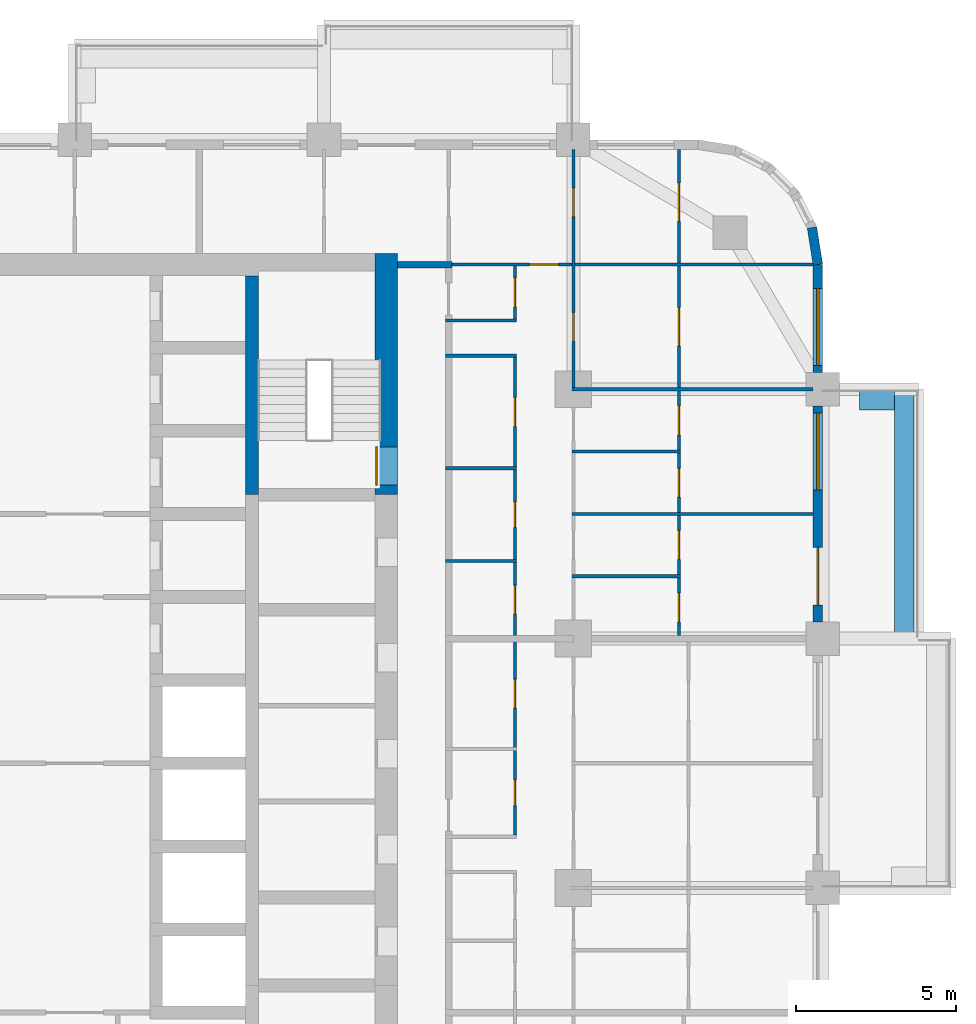
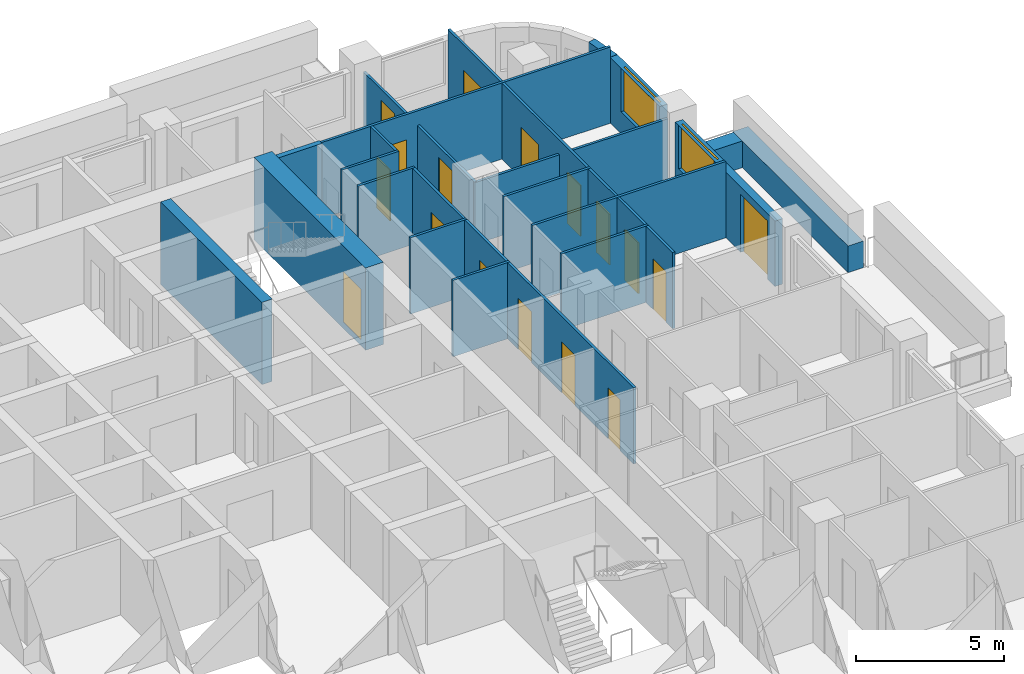
# One storey, part 13 of 18: 21 walls, 17 doors, 2 windows, 19 openings.
"""IFC4 building model written with IfcOpenShell, lengths in metres."""

from ifc_helpers import new_model, si_unit, direction, frame, frame_2d, origin, place, context, subcontext, project, spatial, rectangle, extrude, material, layer, layer_set, type_object, element, fill, save


model = new_model("IFC4")

# Units and contexts
model_context = context("Model", 3, precision=1e-05, world=origin(), true_north=direction((0.0, 1.0)))
body_context = subcontext(model_context, "Body", "Model", "MODEL_VIEW")
ifc_project = project(units=[si_unit("LENGTHUNIT", "METRE"), si_unit("AREAUNIT", "SQUARE_METRE"), si_unit("VOLUMEUNIT", "CUBIC_METRE"), si_unit("PLANEANGLEUNIT", "RADIAN"), si_unit("MASSUNIT", "GRAM", prefix="KILO")], contexts=[model_context])

# Site, building, storey
site_placement = place(None, origin())
site = spatial("IfcSite", under=ifc_project, at=site_placement, CompositionType="ELEMENT")
building_placement = place(site_placement, origin())
building = spatial("IfcBuilding", under=site, at=building_placement, Name="Ludao Terraces", CompositionType="ELEMENT")
storey_placement = place(building_placement, frame((0.0, 0.0, 33.10009765625)))
storey = spatial("IfcBuildingStorey", under=building, at=storey_placement, Name="L08", CompositionType="ELEMENT", Elevation=33.10009765625)

# Wall, opening, door
ifc_material_1 = material(Name="Concrete C70", Category="concrete")
ifc_layer_1 = layer(ifc_material_1, 0.699951171875)
ifc_layer_set_1 = layer_set([ifc_layer_1], Name="Core wall 700 C70")
wall_type_1 = type_object("IfcWallType", Name="Core wall 700 C70", PredefinedType="SOLIDWALL", material=ifc_layer_set_1)
wall_1_placement = place(storey_placement, frame((94.75, 77.300048828125, -0.25), z_axis=(0.0, 0.0, 1.0), x_axis=(0.0, 1.0, 0.0)))
wall_1 = element("IfcWall", 1, at=wall_1_placement, inside=storey, type_object=wall_type_1, Name="Core wall L08 outer-E-S2", PredefinedType="SOLIDWALL", context=body_context, shape_type="SweptSolid", body=[
    extrude(rectangle(XDim=7.550048828125, YDim=0.699951171875, at=frame_2d((3.77490234375, 0.0))), origin(), (0.0, 0.0, 1.0), 3.39990234375),
])
opening_1_placement = place(wall_1_placement, frame((0.300048828125, 0.0, 0.25)))
opening_1 = element("IfcOpeningElement", 2, at=opening_1_placement, cuts=wall_1, Name="Opening R02-134", PredefinedType="OPENING", context=body_context, shape_type="SweptSolid", body=[
    extrude(rectangle(XDim=1.199951171875, YDim=2.10009765625, at=frame_2d((0.60009765625, 1.050048828125))), frame((0.0, 0.35986328125, 0.0), z_axis=(0.0, -1.0, 0.0), x_axis=(1.0, 0.0, 0.0)), (0.0, 0.0, 1.0), 0.719970703125),
])
ifc_material_2 = material(Name="Steel Q235", Category="steel")
door_type_1 = type_object("IfcDoorType", Name="INT Stair door 1200", OperationType="DOUBLE_DOOR_SINGLE_SWING", PredefinedType="DOOR", material=ifc_material_2)
door_1_placement = place(opening_1_placement, origin())
door_1 = element("IfcDoor", 3, at=door_1_placement, inside=storey, type_object=door_type_1, Name="DOOR 134", OperationType="DOUBLE_DOOR_SINGLE_SWING", OverallHeight=2.10009765625, OverallWidth=1.199951171875, PredefinedType="DOOR", context=body_context, shape_type="SweptSolid", body=[
    extrude(rectangle(XDim=1.199951171875, YDim=2.10009765625, at=frame_2d((0.60009765625, 1.050048828125))), frame((0.0, 0.3349609375, 0.0), z_axis=(0.0, -1.0, 0.0), x_axis=(1.0, 0.0, 0.0)), (0.0, 0.0, 1.0), 0.050048828125),
])
fill(opening_1, door_1)

# Walls
ifc_material_3 = material(Name="Concrete C40", Category="concrete")
ifc_layer_2 = layer(ifc_material_3, 0.60009765625)
ifc_layer_set_2 = layer_set([ifc_layer_2], Name="ENV Planter trough 600")
wall_type_2 = type_object("IfcWallType", Name="ENV Planter trough 600", PredefinedType="USERDEFINED", material=ifc_layer_set_2)
wall_2_placement = place(storey_placement, frame((110.949951171875, 72.800048828125, 0.0), z_axis=(0.0, 0.0, 1.0), x_axis=(0.0, 1.0, 0.0)))
element("IfcWall", 4, at=wall_2_placement, inside=storey, type_object=wall_type_2, Name="PL-L08-E4", ObjectType="PLANTER", PredefinedType="USERDEFINED", context=body_context, shape_type="SweptSolid", body=[
    extrude(rectangle(XDim=7.800048828125, YDim=0.60009765625, at=frame_2d((3.89990234375, 0.0))), origin(), (0.0, 0.0, 1.0), 1.099853515625),
])
wall_3_placement = place(storey_placement, frame((110.64990234375, 80.25, 0.0), z_axis=(0.0, 0.0, 1.0), x_axis=(-1.0, 0.0, 0.0)))
element("IfcWall", 5, at=wall_3_placement, inside=storey, type_object=wall_type_2, Name="PL-L08-E4-SB", ObjectType="PLANTER", PredefinedType="USERDEFINED", context=body_context, shape_type="SweptSolid", body=[
    extrude(rectangle(XDim=1.099853515625, YDim=0.60009765625, at=frame_2d((0.5498046875, 0.0))), origin(), (0.0, 0.0, 1.0), 1.099853515625),
])

# Wall, openings, door, window
ifc_material_4 = material(Name="Granite cladding", Category="masonry")
ifc_layer_3 = layer(ifc_material_4, 0.0400390625, Category="stone")
ifc_material_5 = material(Name="Mineral wool")
ifc_layer_4 = layer(ifc_material_5, 0.06005859375)
ifc_layer_5 = layer(ifc_material_3, 0.199951171875, Category="concrete")
ifc_layer_set_3 = layer_set([ifc_layer_3, ifc_layer_4, ifc_layer_5], Name="ENV Stone-clad wall 300")
wall_type_3 = type_object("IfcWallType", Name="ENV Stone-clad wall 300", PredefinedType="SOLIDWALL", material=ifc_layer_set_3)
wall_4_placement = place(storey_placement, frame((108.25, 73.324951171875, 0.0), z_axis=(0.0, 0.0, 1.0), x_axis=(0.0, 1.0, 0.0)))
wall_4 = element("IfcWall", 6, at=wall_4_placement, inside=storey, type_object=wall_type_3, Name="EW-L08-E5", PredefinedType="SOLIDWALL", context=body_context, shape_type="SweptSolid", body=[
    extrude(rectangle(XDim=6.75, YDim=0.300048828125, at=frame_2d((3.375, 0.0))), origin(), (0.0, 0.0, 1.0), 2.699951171875),
])
opening_2_placement = place(wall_4_placement, frame((0.52490234375, 0.0, 0.0)))
opening_2 = element("IfcOpeningElement", 7, at=opening_2_placement, cuts=wall_4, Name="Opening BD", PredefinedType="OPENING", context=body_context, shape_type="SweptSolid", body=[
    extrude(rectangle(XDim=1.800048828125, YDim=2.39990234375, at=frame_2d((0.89990234375, 1.199951171875))), frame((0.0, 0.16015625, 0.0), z_axis=(0.0, -1.0, 0.0), x_axis=(1.0, 0.0, 0.0)), (0.0, 0.0, 1.0), 0.320068359375),
])
opening_3_placement = place(wall_4_placement, frame((4.125, 0.0, 0.89990234375)))
opening_3 = element("IfcOpeningElement", 8, at=opening_3_placement, cuts=wall_4, Name="Opening W1", PredefinedType="OPENING", context=body_context, shape_type="SweptSolid", body=[
    extrude(rectangle(XDim=2.39990234375, YDim=1.800048828125, at=frame_2d((1.199951171875, 0.89990234375))), frame((0.0, 0.16015625, 0.0), z_axis=(0.0, -1.0, 0.0), x_axis=(1.0, 0.0, 0.0)), (0.0, 0.0, 1.0), 0.320068359375),
])
ifc_material_6 = material(Name="Aluminium glazed door", Category="aluminium")
ifc_layer_6 = layer(ifc_material_6, 0.06005859375)
ifc_layer_set_4 = layer_set([ifc_layer_6], Name="ENV Balcony door BD 1800x2400")
door_type_2 = type_object("IfcDoorType", Name="ENV Balcony door BD 1800x2400", OperationType="DOUBLE_DOOR_SINGLE_SWING", PredefinedType="DOOR", material=ifc_layer_set_4)
door_2_placement = place(opening_2_placement, origin())
door_2 = element("IfcDoor", 9, at=door_2_placement, inside=storey, type_object=door_type_2, Name="BD-L08-E5-1", OperationType="DOUBLE_DOOR_SINGLE_SWING", OverallHeight=2.39990234375, OverallWidth=1.800048828125, PredefinedType="DOOR", context=body_context, shape_type="SweptSolid", body=[
    extrude(rectangle(XDim=1.800048828125, YDim=2.39990234375, at=frame_2d((0.89990234375, 1.199951171875))), frame((0.0, 0.02490234375, 0.0), z_axis=(0.0, -1.0, 0.0), x_axis=(1.0, 0.0, 0.0)), (0.0, 0.0, 1.0), 0.050048828125),
])
fill(opening_2, door_2)
ifc_material_7 = material(Name="Clear glass in aluminium frame", Category="aluminium")
ifc_layer_7 = layer(ifc_material_7, 0.06005859375)
ifc_layer_set_5 = layer_set([ifc_layer_7], Name="ENV Window W1 2400x1800")
window_type = type_object("IfcWindowType", Name="ENV Window W1 2400x1800", PartitioningType="DOUBLE_PANEL_VERTICAL", PredefinedType="WINDOW", material=ifc_layer_set_5)
window_1_placement = place(opening_3_placement, origin())
window_1 = element("IfcWindow", 10, at=window_1_placement, inside=storey, type_object=window_type, Name="W-L08-E5-2", OverallHeight=1.800048828125, OverallWidth=2.39990234375, PartitioningType="DOUBLE_PANEL_VERTICAL", PredefinedType="WINDOW", context=body_context, shape_type="SweptSolid", body=[
    extrude(rectangle(XDim=2.39990234375, YDim=1.800048828125, at=frame_2d((1.199951171875, 0.89990234375))), frame((0.0, 0.030029296875, 0.0), z_axis=(0.0, -1.0, 0.0), x_axis=(1.0, 0.0, 0.0)), (0.0, 0.0, 1.0), 0.06005859375),
])
fill(opening_3, window_1)

# Wall, opening, window
wall_5_placement = place(storey_placement, frame((108.25, 81.125, 0.0), z_axis=(0.0, 0.0, 1.0), x_axis=(0.0, 1.0, 0.0)))
wall_5 = element("IfcWall", 11, at=wall_5_placement, inside=storey, type_object=wall_type_3, Name="EW-L08-E6", PredefinedType="SOLIDWALL", context=body_context, shape_type="SweptSolid", body=[
    extrude(rectangle(XDim=3.375, YDim=0.300048828125, at=frame_2d((1.6875, 0.0))), origin(), (0.0, 0.0, 1.0), 2.699951171875),
])
opening_4_placement = place(wall_5_placement, frame((0.22509765625, 0.0, 0.89990234375)))
opening_4 = element("IfcOpeningElement", 12, at=opening_4_placement, cuts=wall_5, Name="Opening W1", PredefinedType="OPENING", context=body_context, shape_type="SweptSolid", body=[
    extrude(rectangle(XDim=2.39990234375, YDim=1.800048828125, at=frame_2d((1.199951171875, 0.89990234375))), frame((0.0, 0.16015625, 0.0), z_axis=(0.0, -1.0, 0.0), x_axis=(1.0, 0.0, 0.0)), (0.0, 0.0, 1.0), 0.320068359375),
])
window_2_placement = place(opening_4_placement, origin())
window_2 = element("IfcWindow", 13, at=window_2_placement, inside=storey, type_object=window_type, Name="W-L08-E6-1", OverallHeight=1.800048828125, OverallWidth=2.39990234375, PartitioningType="DOUBLE_PANEL_VERTICAL", PredefinedType="WINDOW", context=body_context, shape_type="SweptSolid", body=[
    extrude(rectangle(XDim=2.39990234375, YDim=1.800048828125, at=frame_2d((1.199951171875, 0.89990234375))), frame((0.0, 0.030029296875, 0.0), z_axis=(0.0, -1.0, 0.0), x_axis=(1.0, 0.0, 0.0)), (0.0, 0.0, 1.0), 0.06005859375),
])
fill(opening_4, window_2)

# Walls
wall_6_placement = place(storey_placement, frame((108.25, 84.5, 0.0), z_axis=(0.0, 0.0, 1.0), x_axis=(-0.156496880861, 0.987678452879, 0.0)))
element("IfcWall", 14, at=wall_6_placement, inside=storey, type_object=wall_type_3, Name="EW-L08-NE1", PredefinedType="SOLIDWALL", context=body_context, shape_type="SweptSolid", body=[
    extrude(rectangle(XDim=1.173095703125, YDim=0.300048828125, at=frame_2d((0.58642578125, 0.0))), origin(), (0.0, 0.0, 1.0), 2.699951171875),
])
ifc_material_8 = material(Name="Autoclaved aerated concrete block B06 A3.5", Category="concrete")
ifc_layer_8 = layer(ifc_material_8, 0.199951171875)
ifc_layer_set_6 = layer_set([ifc_layer_8], Name="INT Entrance wall 200")
wall_type_4 = type_object("IfcWallType", Name="INT Entrance wall 200", PredefinedType="PARTITIONING", material=ifc_layer_set_6)
wall_7_placement = place(storey_placement, frame((95.10009765625, 84.5, 0.0), z_axis=(0.0, 0.0, 1.0), x_axis=(1.0, 0.0, 0.0)))
element("IfcWall", 15, at=wall_7_placement, inside=storey, type_object=wall_type_4, Name="PW-L08-PW079", PredefinedType="PARTITIONING", context=body_context, shape_type="SweptSolid", body=[
    extrude(rectangle(XDim=1.699951171875, YDim=0.199951171875, at=frame_2d((0.85009765625, 0.0))), origin(), (0.0, 0.0, 1.0), 3.14990234375),
])
ifc_material_9 = material(Name="Gypsum plasterboard", Category="gypsum")
ifc_layer_9 = layer(ifc_material_9, 0.012451171875, Category="gypsum")
ifc_layer_10 = layer(ifc_material_5, 0.06005859375, Name="insulation")
ifc_layer_11 = layer(ifc_material_2, 0.014892578125, Name="stud")
ifc_layer_12 = layer(ifc_material_9, 0.012451171875, Category="gypsum")
ifc_layer_set_7 = layer_set([ifc_layer_9, ifc_layer_10, ifc_layer_11, ifc_layer_12], Name="INT Partition 100")
wall_type_5 = type_object("IfcWallType", Name="INT Partition 100", PredefinedType="PARTITIONING", material=ifc_layer_set_7)
wall_8_placement = place(storey_placement, frame((100.550048828125, 74.75, 0.0), z_axis=(0.0, 0.0, 1.0), x_axis=(1.0, 0.0, 0.0)))
element("IfcWall", 16, at=wall_8_placement, inside=storey, type_object=wall_type_5, Name="PW-L08-PW060", PredefinedType="PARTITIONING", context=body_context, shape_type="SweptSolid", body=[
    extrude(rectangle(XDim=3.400146484375, YDim=0.10009765625, at=frame_2d((1.7001953125, 0.0))), origin(), (0.0, 0.0, 1.0), 3.14990234375),
])
wall_9_placement = place(storey_placement, frame((96.60009765625, 75.22998046875, 0.0), z_axis=(0.0, 0.0, 1.0), x_axis=(1.0, 0.0, 0.0)))
element("IfcWall", 17, at=wall_9_placement, inside=storey, type_object=wall_type_5, Name="PW-L08-PW061", PredefinedType="PARTITIONING", context=body_context, shape_type="SweptSolid", body=[
    extrude(rectangle(XDim=2.219970703125, YDim=0.10009765625, at=frame_2d((1.10986328125, 0.0))), origin(), (0.0, 0.0, 1.0), 3.14990234375),
])
wall_10_placement = place(storey_placement, frame((100.550048828125, 76.699951171875, 0.0), z_axis=(0.0, 0.0, 1.0), x_axis=(1.0, 0.0, 0.0)))
element("IfcWall", 18, at=wall_10_placement, inside=storey, type_object=wall_type_5, Name="PW-L08-PW064", PredefinedType="PARTITIONING", context=body_context, shape_type="SweptSolid", body=[
    extrude(rectangle(XDim=7.550048828125, YDim=0.10009765625, at=frame_2d((3.77490234375, 0.0))), origin(), (0.0, 0.0, 1.0), 3.14990234375),
])
wall_11_placement = place(storey_placement, frame((96.60009765625, 78.1298828125, 0.0), z_axis=(0.0, 0.0, 1.0), x_axis=(1.0, 0.0, 0.0)))
element("IfcWall", 19, at=wall_11_placement, inside=storey, type_object=wall_type_5, Name="PW-L08-PW065", PredefinedType="PARTITIONING", context=body_context, shape_type="SweptSolid", body=[
    extrude(rectangle(XDim=2.219970703125, YDim=0.10009765625, at=frame_2d((1.10986328125, 0.0))), origin(), (0.0, 0.0, 1.0), 3.14990234375),
])
wall_12_placement = place(storey_placement, frame((100.550048828125, 78.64990234375, 0.0), z_axis=(0.0, 0.0, 1.0), x_axis=(1.0, 0.0, 0.0)))
element("IfcWall", 20, at=wall_12_placement, inside=storey, type_object=wall_type_5, Name="PW-L08-PW068", PredefinedType="PARTITIONING", context=body_context, shape_type="SweptSolid", body=[
    extrude(rectangle(XDim=3.400146484375, YDim=0.10009765625, at=frame_2d((1.7001953125, 0.0))), origin(), (0.0, 0.0, 1.0), 3.14990234375),
])
wall_13_placement = place(storey_placement, frame((100.550048828125, 80.60009765625, 0.0), z_axis=(0.0, 0.0, 1.0), x_axis=(1.0, 0.0, 0.0)))
element("IfcWall", 21, at=wall_13_placement, inside=storey, type_object=wall_type_5, Name="PW-L08-PW071", PredefinedType="PARTITIONING", context=body_context, shape_type="SweptSolid", body=[
    extrude(rectangle(XDim=7.550048828125, YDim=0.10009765625, at=frame_2d((3.77490234375, 0.0))), origin(), (0.0, 0.0, 1.0), 2.5498046875),
])
for number, where, z_axis, x_axis, name in (
    (22, (96.60009765625, 81.64990234375, 0.0), (0.0, 0.0, 1.0), (1.0, 0.0, 0.0), "PW-L08-PW073"),
    (23, (96.60009765625, 82.75, 0.0), (0.0, 0.0, 1.0), (1.0, 0.0, 0.0), "PW-L08-PW076"),
):
    element("IfcWall", number, at=place(storey_placement, frame(where, z_axis=z_axis, x_axis=x_axis)), inside=storey, type_object=wall_type_5, Name=name, PredefinedType="PARTITIONING", context=body_context, shape_type="SweptSolid", body=[
        extrude(rectangle(XDim=2.219970703125, YDim=0.10009765625, at=frame_2d((1.10986328125, 0.0))), origin(), (0.0, 0.0, 1.0), 3.14990234375),
    ])

# Wall, opening, door
wall_14_placement = place(storey_placement, frame((96.60009765625, 84.5, 0.0), z_axis=(0.0, 0.0, 1.0), x_axis=(1.0, 0.0, 0.0)))
wall_14 = element("IfcWall", 24, at=wall_14_placement, inside=storey, type_object=wall_type_5, Name="PW-L08-PW080", PredefinedType="PARTITIONING", context=body_context, shape_type="SweptSolid", body=[
    extrude(rectangle(XDim=11.5, YDim=0.10009765625, at=frame_2d((5.75, 0.0))), origin(), (0.0, 0.0, 1.0), 3.14990234375),
])
opening_5_placement = place(wall_14_placement, frame((2.635009765625, 0.0, 0.0)))
opening_5 = element("IfcOpeningElement", 25, at=opening_5_placement, cuts=wall_14, Name="Opening R02-156", PredefinedType="OPENING", context=body_context, shape_type="SweptSolid", body=[
    extrude(rectangle(XDim=0.89990234375, YDim=2.10009765625, at=frame_2d((0.449951171875, 1.050048828125))), frame((0.0, 0.06005859375, 0.0), z_axis=(0.0, -1.0, 0.0), x_axis=(1.0, 0.0, 0.0)), (0.0, 0.0, 1.0), 0.1201171875),
])
ifc_material_10 = material(Name="Timber door leaf", Category="wood")
door_type_3 = type_object("IfcDoorType", Name="INT Room door 900", OperationType="SINGLE_SWING_LEFT", PredefinedType="DOOR", material=ifc_material_10)
door_3_placement = place(opening_5_placement, origin())
door_3 = element("IfcDoor", 26, at=door_3_placement, inside=storey, type_object=door_type_3, Name="DOOR 156", OperationType="SINGLE_SWING_LEFT", OverallHeight=2.10009765625, OverallWidth=0.89990234375, PredefinedType="DOOR", context=body_context, shape_type="SweptSolid", body=[
    extrude(rectangle(XDim=0.89990234375, YDim=2.10009765625, at=frame_2d((0.449951171875, 1.050048828125))), frame((0.0, 0.02490234375, 0.0), z_axis=(0.0, -1.0, 0.0), x_axis=(1.0, 0.0, 0.0)), (0.0, 0.0, 1.0), 0.050048828125),
])
fill(opening_5, door_3)

# Wall, openings, doors
wall_15_placement = place(storey_placement, frame((98.77001953125, 66.650146484375, 0.0), z_axis=(0.0, 0.0, 1.0), x_axis=(0.0, 1.0, 0.0)))
wall_15 = element("IfcWall", 27, at=wall_15_placement, inside=storey, type_object=wall_type_5, Name="PW-L08-PW120", PredefinedType="PARTITIONING", context=body_context, shape_type="SweptSolid", body=[
    extrude(rectangle(XDim=14.949951171875, YDim=0.10009765625, at=frame_2d((7.47509765625, 0.0))), origin(), (0.0, 0.0, 1.0), 3.14990234375),
])
opening_6_placement = place(wall_15_placement, frame((0.925048828125, 0.0, 0.0)))
opening_6 = element("IfcOpeningElement", 28, at=opening_6_placement, cuts=wall_15, Name="Opening R02-095", PredefinedType="OPENING", context=body_context, shape_type="SweptSolid", body=[
    extrude(rectangle(XDim=0.800048828125, YDim=2.10009765625, at=frame_2d((0.39990234375, 1.050048828125))), frame((0.0, 0.06005859375, 0.0), z_axis=(0.0, -1.0, 0.0), x_axis=(1.0, 0.0, 0.0)), (0.0, 0.0, 1.0), 0.1201171875),
])
opening_7_placement = place(wall_15_placement, frame((3.97509765625, 0.0, 0.0)))
opening_7 = element("IfcOpeningElement", 29, at=opening_7_placement, cuts=wall_15, Name="Opening R02-104", PredefinedType="OPENING", context=body_context, shape_type="SweptSolid", body=[
    extrude(rectangle(XDim=0.89990234375, YDim=2.10009765625, at=frame_2d((0.449951171875, 1.050048828125))), frame((0.0, 0.06005859375, 0.0), z_axis=(0.0, -1.0, 0.0), x_axis=(1.0, 0.0, 0.0)), (0.0, 0.0, 1.0), 0.1201171875),
])
opening_8_placement = place(wall_15_placement, frame((6.9150390625, 0.0, 0.0)))
opening_8 = element("IfcOpeningElement", 30, at=opening_8_placement, cuts=wall_15, Name="Opening R02-115", PredefinedType="OPENING", context=body_context, shape_type="SweptSolid", body=[
    extrude(rectangle(XDim=0.89990234375, YDim=2.10009765625, at=frame_2d((0.449951171875, 1.050048828125))), frame((0.0, 0.06005859375, 0.0), z_axis=(0.0, -1.0, 0.0), x_axis=(1.0, 0.0, 0.0)), (0.0, 0.0, 1.0), 0.1201171875),
])
opening_9_placement = place(wall_15_placement, frame((9.6298828125, 0.0, 0.0)))
opening_9 = element("IfcOpeningElement", 31, at=opening_9_placement, cuts=wall_15, Name="Opening R02-126", PredefinedType="OPENING", context=body_context, shape_type="SweptSolid", body=[
    extrude(rectangle(XDim=0.800048828125, YDim=2.10009765625, at=frame_2d((0.39990234375, 1.050048828125))), frame((0.0, 0.06005859375, 0.0), z_axis=(0.0, -1.0, 0.0), x_axis=(1.0, 0.0, 0.0)), (0.0, 0.0, 1.0), 0.1201171875),
])
opening_10_placement = place(wall_15_placement, frame((12.7900390625, 0.0, 0.0)))
opening_10 = element("IfcOpeningElement", 32, at=opening_10_placement, cuts=wall_15, Name="Opening R02-139", PredefinedType="OPENING", context=body_context, shape_type="SweptSolid", body=[
    extrude(rectangle(XDim=0.89990234375, YDim=2.10009765625, at=frame_2d((0.449951171875, 1.050048828125))), frame((0.0, 0.06005859375, 0.0), z_axis=(0.0, -1.0, 0.0), x_axis=(1.0, 0.0, 0.0)), (0.0, 0.0, 1.0), 0.1201171875),
])
door_type_4 = type_object("IfcDoorType", Name="INT Bathroom door 900", OperationType="SINGLE_SWING_LEFT", PredefinedType="DOOR", material=ifc_material_10)
door_4_placement = place(opening_8_placement, origin())
door_4 = element("IfcDoor", 33, at=door_4_placement, inside=storey, type_object=door_type_4, Name="DOOR 115", OperationType="SINGLE_SWING_LEFT", OverallHeight=2.10009765625, OverallWidth=0.89990234375, PredefinedType="DOOR", context=body_context, shape_type="SweptSolid", body=[
    extrude(rectangle(XDim=0.89990234375, YDim=2.10009765625, at=frame_2d((0.449951171875, 1.050048828125))), frame((0.0, 0.02490234375, 0.0), z_axis=(0.0, -1.0, 0.0), x_axis=(1.0, 0.0, 0.0)), (0.0, 0.0, 1.0), 0.050048828125),
])
fill(opening_8, door_4)
door_5_placement = place(opening_7_placement, origin())
door_5 = element("IfcDoor", 34, at=door_5_placement, inside=storey, type_object=door_type_3, Name="DOOR 104", OperationType="SINGLE_SWING_LEFT", OverallHeight=2.10009765625, OverallWidth=0.89990234375, PredefinedType="DOOR", context=body_context, shape_type="SweptSolid", body=[
    extrude(rectangle(XDim=0.89990234375, YDim=2.10009765625, at=frame_2d((0.449951171875, 1.050048828125))), frame((0.0, 0.02490234375, 0.0), z_axis=(0.0, -1.0, 0.0), x_axis=(1.0, 0.0, 0.0)), (0.0, 0.0, 1.0), 0.050048828125),
])
fill(opening_7, door_5)
door_6_placement = place(opening_10_placement, origin())
door_6 = element("IfcDoor", 35, at=door_6_placement, inside=storey, type_object=door_type_3, Name="DOOR 139", OperationType="SINGLE_SWING_LEFT", OverallHeight=2.10009765625, OverallWidth=0.89990234375, PredefinedType="DOOR", context=body_context, shape_type="SweptSolid", body=[
    extrude(rectangle(XDim=0.89990234375, YDim=2.10009765625, at=frame_2d((0.449951171875, 1.050048828125))), frame((0.0, 0.02490234375, 0.0), z_axis=(0.0, -1.0, 0.0), x_axis=(1.0, 0.0, 0.0)), (0.0, 0.0, 1.0), 0.050048828125),
])
fill(opening_10, door_6)
door_type_5 = type_object("IfcDoorType", Name="INT Store door 800", OperationType="SINGLE_SWING_LEFT", PredefinedType="DOOR", material=ifc_material_10)
door_7_placement = place(opening_6_placement, origin())
door_7 = element("IfcDoor", 36, at=door_7_placement, inside=storey, type_object=door_type_5, Name="DOOR 095", OperationType="SINGLE_SWING_RIGHT", OverallHeight=2.10009765625, OverallWidth=0.800048828125, PredefinedType="DOOR", context=body_context, shape_type="SweptSolid", body=[
    extrude(rectangle(XDim=0.800048828125, YDim=2.10009765625, at=frame_2d((0.39990234375, 1.050048828125))), frame((0.0, 0.02490234375, 0.0), z_axis=(0.0, -1.0, 0.0), x_axis=(1.0, 0.0, 0.0)), (0.0, 0.0, 1.0), 0.050048828125),
])
fill(opening_6, door_7)
door_8_placement = place(opening_9_placement, origin())
door_8 = element("IfcDoor", 37, at=door_8_placement, inside=storey, type_object=door_type_5, Name="DOOR 126", OperationType="SINGLE_SWING_LEFT", OverallHeight=2.10009765625, OverallWidth=0.800048828125, PredefinedType="DOOR", context=body_context, shape_type="SweptSolid", body=[
    extrude(rectangle(XDim=0.800048828125, YDim=2.10009765625, at=frame_2d((0.39990234375, 1.050048828125))), frame((0.0, 0.02490234375, 0.0), z_axis=(0.0, -1.0, 0.0), x_axis=(1.0, 0.0, 0.0)), (0.0, 0.0, 1.0), 0.050048828125),
])
fill(opening_9, door_8)

# Wall, opening, door
wall_16_placement = place(storey_placement, frame((98.77001953125, 82.800048828125, 0.0), z_axis=(0.0, 0.0, 1.0), x_axis=(0.0, 1.0, 0.0)))
wall_16 = element("IfcWall", 38, at=wall_16_placement, inside=storey, type_object=wall_type_5, Name="PW-L08-PW121", PredefinedType="PARTITIONING", context=body_context, shape_type="SweptSolid", body=[
    extrude(rectangle(XDim=1.650146484375, YDim=0.10009765625, at=frame_2d((0.8251953125, 0.0))), origin(), (0.0, 0.0, 1.0), 3.14990234375),
])
opening_11_placement = place(wall_16_placement, frame((0.375, 0.0, 0.0)))
opening_11 = element("IfcOpeningElement", 39, at=opening_11_placement, cuts=wall_16, Name="Opening R02-154", PredefinedType="OPENING", context=body_context, shape_type="SweptSolid", body=[
    extrude(rectangle(XDim=0.89990234375, YDim=2.10009765625, at=frame_2d((0.449951171875, 1.050048828125))), frame((0.0, 0.06005859375, 0.0), z_axis=(0.0, -1.0, 0.0), x_axis=(1.0, 0.0, 0.0)), (0.0, 0.0, 1.0), 0.1201171875),
])
door_9_placement = place(opening_11_placement, origin())
door_9 = element("IfcDoor", 40, at=door_9_placement, inside=storey, type_object=door_type_4, Name="DOOR 154", OperationType="SINGLE_SWING_LEFT", OverallHeight=2.10009765625, OverallWidth=0.89990234375, PredefinedType="DOOR", context=body_context, shape_type="SweptSolid", body=[
    extrude(rectangle(XDim=0.89990234375, YDim=2.10009765625, at=frame_2d((0.449951171875, 1.050048828125))), frame((0.0, 0.02490234375, 0.0), z_axis=(0.0, -1.0, 0.0), x_axis=(1.0, 0.0, 0.0)), (0.0, 0.0, 1.0), 0.050048828125),
])
fill(opening_11, door_9)

# Wall, openings, doors
wall_17_placement = place(storey_placement, frame((100.60009765625, 80.60009765625, 0.0), z_axis=(0.0, 0.0, 1.0), x_axis=(0.0, 1.0, 0.0)))
wall_17 = element("IfcWall", 41, at=wall_17_placement, inside=storey, type_object=wall_type_5, Name="PW-L08-PW122-3", PredefinedType="PARTITIONING", context=body_context, shape_type="SweptSolid", body=[
    extrude(rectangle(XDim=7.5, YDim=0.10009765625, at=frame_2d((3.75, 0.0))), origin(), (0.0, 0.0, 1.0), 2.5498046875),
])
opening_12_placement = place(wall_17_placement, frame((1.5, 0.0, 0.0)))
opening_12 = element("IfcOpeningElement", 42, at=opening_12_placement, cuts=wall_17, Name="Opening R02-146", PredefinedType="OPENING", context=body_context, shape_type="SweptSolid", body=[
    extrude(rectangle(XDim=0.89990234375, YDim=2.10009765625, at=frame_2d((0.449951171875, 1.050048828125))), frame((0.0, 0.06005859375, 0.0), z_axis=(0.0, -1.0, 0.0), x_axis=(1.0, 0.0, 0.0)), (0.0, 0.0, 1.0), 0.1201171875),
])
opening_13_placement = place(wall_17_placement, frame((5.39990234375, 0.0, 0.0)))
opening_13 = element("IfcOpeningElement", 43, at=opening_13_placement, cuts=wall_17, Name="Opening R02-165", PredefinedType="OPENING", context=body_context, shape_type="SweptSolid", body=[
    extrude(rectangle(XDim=0.89990234375, YDim=2.10009765625, at=frame_2d((0.449951171875, 1.050048828125))), frame((0.0, 0.06005859375, 0.0), z_axis=(0.0, -1.0, 0.0), x_axis=(1.0, 0.0, 0.0)), (0.0, 0.0, 1.0), 0.1201171875),
])
door_10_placement = place(opening_12_placement, origin())
door_10 = element("IfcDoor", 44, at=door_10_placement, inside=storey, type_object=door_type_3, Name="DOOR 146", OperationType="SINGLE_SWING_LEFT", OverallHeight=2.10009765625, OverallWidth=0.89990234375, PredefinedType="DOOR", context=body_context, shape_type="SweptSolid", body=[
    extrude(rectangle(XDim=0.89990234375, YDim=2.10009765625, at=frame_2d((0.449951171875, 1.050048828125))), frame((0.0, 0.02490234375, 0.0), z_axis=(0.0, -1.0, 0.0), x_axis=(1.0, 0.0, 0.0)), (0.0, 0.0, 1.0), 0.050048828125),
])
fill(opening_12, door_10)
door_11_placement = place(opening_13_placement, origin())
door_11 = element("IfcDoor", 45, at=door_11_placement, inside=storey, type_object=door_type_3, Name="DOOR 165", OperationType="SINGLE_SWING_LEFT", OverallHeight=2.10009765625, OverallWidth=0.89990234375, PredefinedType="DOOR", context=body_context, shape_type="SweptSolid", body=[
    extrude(rectangle(XDim=0.89990234375, YDim=2.10009765625, at=frame_2d((0.449951171875, 1.050048828125))), frame((0.0, 0.02490234375, 0.0), z_axis=(0.0, -1.0, 0.0), x_axis=(1.0, 0.0, 0.0)), (0.0, 0.0, 1.0), 0.050048828125),
])
fill(opening_13, door_11)

wall_18_placement = place(storey_placement, frame((103.89990234375, 72.900146484375, 0.0), z_axis=(0.0, 0.0, 1.0), x_axis=(0.0, 1.0, 0.0)))
wall_18 = element("IfcWall", 46, at=wall_18_placement, inside=storey, type_object=wall_type_5, Name="PW-L08-PW123", PredefinedType="PARTITIONING", context=body_context, shape_type="SweptSolid", body=[
    extrude(rectangle(XDim=15.199951171875, YDim=0.10009765625, at=frame_2d((7.60009765625, 0.0))), origin(), (0.0, 0.0, 1.0), 3.14990234375),
])
opening_14_placement = place(wall_18_placement, frame((0.425048828125, 0.0, 0.0)))
opening_14 = element("IfcOpeningElement", 47, at=opening_14_placement, cuts=wall_18, Name="Opening R02-114", PredefinedType="OPENING", context=body_context, shape_type="SweptSolid", body=[
    extrude(rectangle(XDim=0.89990234375, YDim=2.10009765625, at=frame_2d((0.449951171875, 1.050048828125))), frame((0.0, 0.06005859375, 0.0), z_axis=(0.0, -1.0, 0.0), x_axis=(1.0, 0.0, 0.0)), (0.0, 0.0, 1.0), 0.1201171875),
])
opening_15_placement = place(wall_18_placement, frame((2.375, 0.0, 0.0)))
opening_15 = element("IfcOpeningElement", 48, at=opening_15_placement, cuts=wall_18, Name="Opening R02-125", PredefinedType="OPENING", context=body_context, shape_type="SweptSolid", body=[
    extrude(rectangle(XDim=0.89990234375, YDim=2.10009765625, at=frame_2d((0.449951171875, 1.050048828125))), frame((0.0, 0.06005859375, 0.0), z_axis=(0.0, -1.0, 0.0), x_axis=(1.0, 0.0, 0.0)), (0.0, 0.0, 1.0), 0.1201171875),
])
opening_16_placement = place(wall_18_placement, frame((4.324951171875, 0.0, 0.0)))
opening_16 = element("IfcOpeningElement", 49, at=opening_16_placement, cuts=wall_18, Name="Opening R02-130", PredefinedType="OPENING", context=body_context, shape_type="SweptSolid", body=[
    extrude(rectangle(XDim=0.89990234375, YDim=2.10009765625, at=frame_2d((0.449951171875, 1.050048828125))), frame((0.0, 0.06005859375, 0.0), z_axis=(0.0, -1.0, 0.0), x_axis=(1.0, 0.0, 0.0)), (0.0, 0.0, 1.0), 0.1201171875),
])
opening_17_placement = place(wall_18_placement, frame((6.27490234375, 0.0, 0.0)))
opening_17 = element("IfcOpeningElement", 50, at=opening_17_placement, cuts=wall_18, Name="Opening R02-138", PredefinedType="OPENING", context=body_context, shape_type="SweptSolid", body=[
    extrude(rectangle(XDim=0.89990234375, YDim=2.10009765625, at=frame_2d((0.449951171875, 1.050048828125))), frame((0.0, 0.06005859375, 0.0), z_axis=(0.0, -1.0, 0.0), x_axis=(1.0, 0.0, 0.0)), (0.0, 0.0, 1.0), 0.1201171875),
])
opening_18_placement = place(wall_18_placement, frame((9.050048828125, 0.0, 0.0)))
opening_18 = element("IfcOpeningElement", 51, at=opening_18_placement, cuts=wall_18, Name="Opening R02-147", PredefinedType="OPENING", context=body_context, shape_type="SweptSolid", body=[
    extrude(rectangle(XDim=1.199951171875, YDim=2.10009765625, at=frame_2d((0.60009765625, 1.050048828125))), frame((0.0, 0.06005859375, 0.0), z_axis=(0.0, -1.0, 0.0), x_axis=(1.0, 0.0, 0.0)), (0.0, 0.0, 1.0), 0.1201171875),
])
opening_19_placement = place(wall_18_placement, frame((12.949951171875, 0.0, 0.0)))
opening_19 = element("IfcOpeningElement", 52, at=opening_19_placement, cuts=wall_18, Name="Opening R02-166", PredefinedType="OPENING", context=body_context, shape_type="SweptSolid", body=[
    extrude(rectangle(XDim=1.199951171875, YDim=2.10009765625, at=frame_2d((0.60009765625, 1.050048828125))), frame((0.0, 0.06005859375, 0.0), z_axis=(0.0, -1.0, 0.0), x_axis=(1.0, 0.0, 0.0)), (0.0, 0.0, 1.0), 0.1201171875),
])
door_12_placement = place(opening_14_placement, origin())
door_12 = element("IfcDoor", 53, at=door_12_placement, inside=storey, type_object=door_type_4, Name="DOOR 114", OperationType="SINGLE_SWING_LEFT", OverallHeight=2.10009765625, OverallWidth=0.89990234375, PredefinedType="DOOR", context=body_context, shape_type="SweptSolid", body=[
    extrude(rectangle(XDim=0.89990234375, YDim=2.10009765625, at=frame_2d((0.449951171875, 1.050048828125))), frame((0.0, 0.02490234375, 0.0), z_axis=(0.0, -1.0, 0.0), x_axis=(1.0, 0.0, 0.0)), (0.0, 0.0, 1.0), 0.050048828125),
])
fill(opening_14, door_12)
door_13_placement = place(opening_16_placement, origin())
door_13 = element("IfcDoor", 54, at=door_13_placement, inside=storey, type_object=door_type_4, Name="DOOR 130", OperationType="SINGLE_SWING_LEFT", OverallHeight=2.10009765625, OverallWidth=0.89990234375, PredefinedType="DOOR", context=body_context, shape_type="SweptSolid", body=[
    extrude(rectangle(XDim=0.89990234375, YDim=2.10009765625, at=frame_2d((0.449951171875, 1.050048828125))), frame((0.0, 0.02490234375, 0.0), z_axis=(0.0, -1.0, 0.0), x_axis=(1.0, 0.0, 0.0)), (0.0, 0.0, 1.0), 0.050048828125),
])
fill(opening_16, door_13)
door_type_6 = type_object("IfcDoorType", Name="INT Double door 1200", OperationType="DOUBLE_DOOR_SINGLE_SWING", PredefinedType="DOOR", material=ifc_material_10)
door_14_placement = place(opening_18_placement, origin())
door_14 = element("IfcDoor", 55, at=door_14_placement, inside=storey, type_object=door_type_6, Name="DOOR 147", OperationType="DOUBLE_DOOR_SINGLE_SWING", OverallHeight=2.10009765625, OverallWidth=1.199951171875, PredefinedType="DOOR", context=body_context, shape_type="SweptSolid", body=[
    extrude(rectangle(XDim=1.199951171875, YDim=2.10009765625, at=frame_2d((0.60009765625, 1.050048828125))), frame((0.0, 0.02490234375, 0.0), z_axis=(0.0, -1.0, 0.0), x_axis=(1.0, 0.0, 0.0)), (0.0, 0.0, 1.0), 0.050048828125),
])
fill(opening_18, door_14)
door_15_placement = place(opening_19_placement, origin())
door_15 = element("IfcDoor", 56, at=door_15_placement, inside=storey, type_object=door_type_6, Name="DOOR 166", OperationType="DOUBLE_DOOR_SINGLE_SWING", OverallHeight=2.10009765625, OverallWidth=1.199951171875, PredefinedType="DOOR", context=body_context, shape_type="SweptSolid", body=[
    extrude(rectangle(XDim=1.199951171875, YDim=2.10009765625, at=frame_2d((0.60009765625, 1.050048828125))), frame((0.0, 0.02490234375, 0.0), z_axis=(0.0, -1.0, 0.0), x_axis=(1.0, 0.0, 0.0)), (0.0, 0.0, 1.0), 0.050048828125),
])
fill(opening_19, door_15)
door_16_placement = place(opening_15_placement, origin())
door_16 = element("IfcDoor", 57, at=door_16_placement, inside=storey, type_object=door_type_3, Name="DOOR 125", OperationType="SINGLE_SWING_LEFT", OverallHeight=2.10009765625, OverallWidth=0.89990234375, PredefinedType="DOOR", context=body_context, shape_type="SweptSolid", body=[
    extrude(rectangle(XDim=0.89990234375, YDim=2.10009765625, at=frame_2d((0.449951171875, 1.050048828125))), frame((0.0, 0.02490234375, 0.0), z_axis=(0.0, -1.0, 0.0), x_axis=(1.0, 0.0, 0.0)), (0.0, 0.0, 1.0), 0.050048828125),
])
fill(opening_15, door_16)
door_17_placement = place(opening_17_placement, origin())
door_17 = element("IfcDoor", 58, at=door_17_placement, inside=storey, type_object=door_type_3, Name="DOOR 138", OperationType="SINGLE_SWING_LEFT", OverallHeight=2.10009765625, OverallWidth=0.89990234375, PredefinedType="DOOR", context=body_context, shape_type="SweptSolid", body=[
    extrude(rectangle(XDim=0.89990234375, YDim=2.10009765625, at=frame_2d((0.449951171875, 1.050048828125))), frame((0.0, 0.02490234375, 0.0), z_axis=(0.0, -1.0, 0.0), x_axis=(1.0, 0.0, 0.0)), (0.0, 0.0, 1.0), 0.050048828125),
])
fill(opening_17, door_17)

# Wall
ifc_material_11 = material(Name="Concrete C60", Category="concrete")
ifc_layer_13 = layer(ifc_material_11, 0.39990234375)
ifc_layer_set_8 = layer_set([ifc_layer_13], Name="Shaft wall 400 C60")
wall_type_6 = type_object("IfcWallType", Name="Shaft wall 400 C60", PredefinedType="SOLIDWALL", material=ifc_layer_set_8)
wall_19_placement = place(storey_placement, frame((90.550048828125, 77.300048828125, -0.25), z_axis=(0.0, 0.0, 1.0), x_axis=(0.0, 1.0, 0.0)))
element("IfcWall", 59, at=wall_19_placement, inside=storey, type_object=wall_type_6, Name="Core wall L08 back-E-S2", PredefinedType="SOLIDWALL", context=body_context, shape_type="SweptSolid", body=[
    extrude(rectangle(XDim=6.849853515625, YDim=0.39990234375, at=frame_2d((3.4248046875, 0.0))), origin(), (0.0, 0.0, 1.0), 3.39990234375),
])

save(model, "model.ifc")
